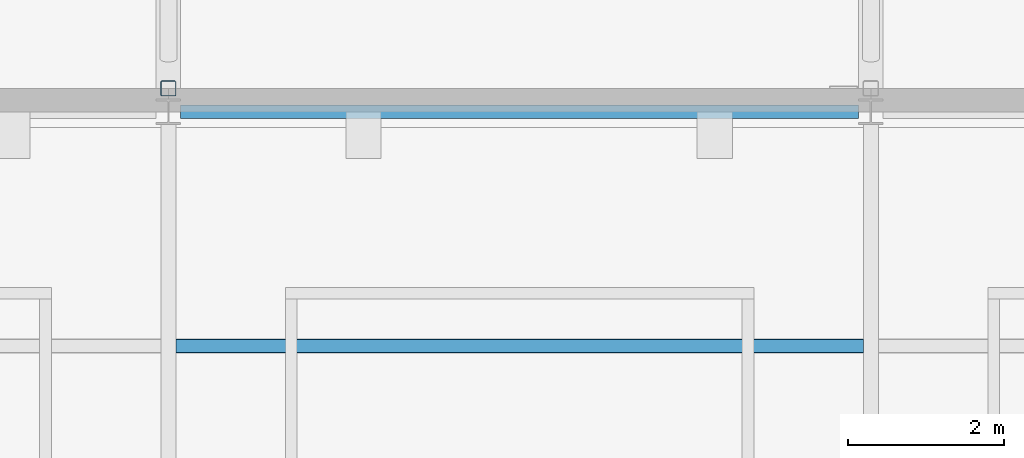
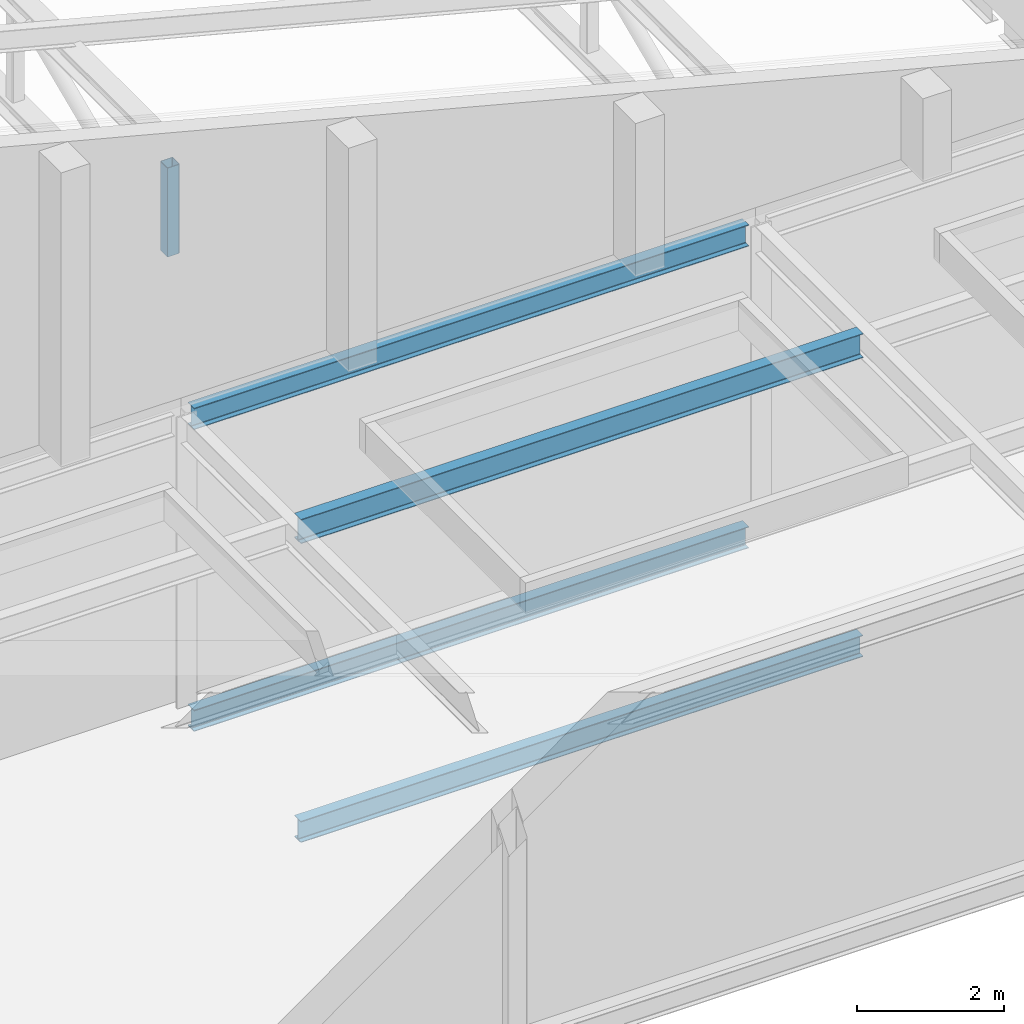
# One storey, part 18 of 115: 4 beams, 1 member.
"""IFC4 building model written with IfcOpenShell, lengths in metres."""

from ifc_helpers import new_model, si_unit, direction, frame, origin, origin_2d, place, context, subcontext, project, spatial, hollow_rectangle, i_section, extrude, material, material_profile, profile_set, type_object, element, save


model = new_model("IFC4")

# Units and contexts
model_context = context("Model", 3, precision=1e-05, world=origin(), true_north=direction((0.0, 1.0)))
body_context = subcontext(model_context, "Body", "Model", "MODEL_VIEW")
ifc_project = project(units=[si_unit("LENGTHUNIT", "METRE"), si_unit("AREAUNIT", "SQUARE_METRE"), si_unit("VOLUMEUNIT", "CUBIC_METRE"), si_unit("PLANEANGLEUNIT", "RADIAN"), si_unit("MASSUNIT", "GRAM", prefix="KILO")], contexts=[model_context])

# Site, building, storey
site_placement = place(None, origin())
site = spatial("IfcSite", under=ifc_project, at=site_placement, CompositionType="ELEMENT")
building_placement = place(site_placement, origin())
building = spatial("IfcBuilding", under=site, at=building_placement, Name="Shorebreak Coast Museum", CompositionType="ELEMENT")
storey_placement = place(building_placement, frame((0.0, 0.0, 11.0)))
storey = spatial("IfcBuildingStorey", under=building, at=storey_placement, Name="L02", CompositionType="ELEMENT", Elevation=11.0)

# Member
ifc_material_1 = material(Name="Steel Grade C450L0", Category="steel")
ifc_material_profile_1 = material_profile(ifc_material_1, hollow_rectangle(XDim=0.199951171875, YDim=0.199951171875, WallThickness=0.009033203125, InnerFilletRadius=0.013427734375, OuterFilletRadius=0.0224609375, at=origin_2d()), Name="200x200x9.0 SHS")
ifc_profile_set_1 = profile_set([ifc_material_profile_1], Name="Steel Grade C450L0")
member_type = type_object("IfcMemberType", Name="Auditorium roof truss strut 200x200x9.0 SHS", PredefinedType="STRUT", material=ifc_profile_set_1)
member_placement = place(storey_placement, frame((27.0, 63.300048828125, 7.244873046875), z_axis=(0.0, 0.0, 1.0), x_axis=(1.0, 0.0, 0.0)))
element("IfcMember", 1, at=member_placement, inside=storey, type_object=member_type, Name="Auditorium roof truss TS1 strut V01", PredefinedType="STRUT", context=body_context, shape_type="SweptSolid", body=[
    extrude(hollow_rectangle(XDim=0.199951171875, YDim=0.199951171875, WallThickness=0.009033203125, InnerFilletRadius=0.013427734375, OuterFilletRadius=0.0224609375, at=origin_2d()), origin(), (0.0, 0.0, 1.0), 1.47265625),
])

# Beams
ifc_material_2 = material(Name="Steel Grade 300", Category="steel")
ifc_material_profile_2 = material_profile(ifc_material_2, i_section(OverallWidth=0.1708984375, OverallDepth=0.355712890625, WebThickness=0.00732421875, FlangeThickness=0.011474609375, FilletRadius=0.011474609375, at=origin_2d()), Name="360UB50.7")
ifc_profile_set_2 = profile_set([ifc_material_profile_2], Name="Steel Grade 300")
beam_type_1 = type_object("IfcBeamType", Name="Floor girder east-west 360UB50.7", PredefinedType="BEAM", material=ifc_profile_set_2)
beam_1_placement = place(storey_placement, frame((27.155517578125, 63.0, -0.352783203125), z_axis=(1.0, 0.0, 0.0), x_axis=(0.0, 1.0, 0.0)))
element("IfcBeam", 2, at=beam_1_placement, inside=storey, type_object=beam_type_1, Name="Floor girder east-west L02 4H", PredefinedType="BEAM", context=body_context, shape_type="SweptSolid", body=[
    extrude(i_section(OverallWidth=0.1708984375, OverallDepth=0.355712890625, WebThickness=0.00732421875, FlangeThickness=0.011474609375, FilletRadius=0.011474609375, at=origin_2d()), origin(), (0.0, 0.0, 1.0), 8.68896484375),
])
ifc_material_3 = material(Name="Steel Grade 300", Category="steel")
ifc_material_profile_3 = material_profile(ifc_material_3, i_section(OverallWidth=0.1708984375, OverallDepth=0.355712890625, WebThickness=0.00732421875, FlangeThickness=0.011474609375, FilletRadius=0.011474609375, at=origin_2d()), Name="360UB50.7")
ifc_profile_set_3 = profile_set([ifc_material_profile_3], Name="Steel Grade 300")
beam_type_2 = type_object("IfcBeamType", Name="Floor joist 360UB50.7", PredefinedType="JOIST", material=ifc_profile_set_3)
beam_2_placement = place(storey_placement, frame((27.095458984375, 60.0, -0.352783203125), z_axis=(1.0, 0.0, 0.0), x_axis=(0.0, 1.0, 0.0)))
element("IfcBeam", 3, at=beam_2_placement, inside=storey, type_object=beam_type_2, Name="Floor joist L02 bay 4G at 6000 mm", PredefinedType="JOIST", context=body_context, shape_type="SweptSolid", body=[
    extrude(i_section(OverallWidth=0.1708984375, OverallDepth=0.355712890625, WebThickness=0.00732421875, FlangeThickness=0.011474609375, FilletRadius=0.011474609375, at=origin_2d()), origin(), (0.0, 0.0, 1.0), 8.80908203125),
])
ifc_material_4 = material(Name="Steel Grade 300", Category="steel")
ifc_material_profile_4 = material_profile(ifc_material_4, i_section(OverallWidth=0.1708984375, OverallDepth=0.355712890625, WebThickness=0.00732421875, FlangeThickness=0.011474609375, FilletRadius=0.011474609375, at=origin_2d()), Name="360UB50.7")
ifc_profile_set_4 = profile_set([ifc_material_profile_4], Name="Steel Grade 300")
beam_type_3 = type_object("IfcBeamType", Name="Roof deck girder east-west 360UB50.7", PredefinedType="BEAM", material=ifc_profile_set_4)
beam_3_placement = place(storey_placement, frame((27.155517578125, 63.0, 4.647216796875), z_axis=(1.0, 0.0, 0.0), x_axis=(0.0, 1.0, 0.0)))
element("IfcBeam", 4, at=beam_3_placement, inside=storey, type_object=beam_type_3, Name="Roof deck girder east-west L03 4H", PredefinedType="BEAM", context=body_context, shape_type="SweptSolid", body=[
    extrude(i_section(OverallWidth=0.1708984375, OverallDepth=0.355712890625, WebThickness=0.00732421875, FlangeThickness=0.011474609375, FilletRadius=0.011474609375, at=origin_2d()), origin(), (0.0, 0.0, 1.0), 8.68896484375),
])
ifc_material_5 = material(Name="Steel Grade 300", Category="steel")
ifc_material_profile_5 = material_profile(ifc_material_5, i_section(OverallWidth=0.177978515625, OverallDepth=0.402587890625, WebThickness=0.007568359375, FlangeThickness=0.010986328125, FilletRadius=0.011474609375, at=origin_2d()), Name="410UB53.7")
ifc_profile_set_5 = profile_set([ifc_material_profile_5], Name="Steel Grade 300")
beam_type_4 = type_object("IfcBeamType", Name="Roof deck joist 410UB53.7", PredefinedType="JOIST", material=ifc_profile_set_5)
beam_4_placement = place(storey_placement, frame((27.094970703125, 60.0, 4.623779296875), z_axis=(1.0, 0.0, 0.0), x_axis=(0.0, 1.0, 0.0)))
element("IfcBeam", 5, at=beam_4_placement, inside=storey, type_object=beam_type_4, Name="Roof deck joist L03 bay 4G at 6000 mm", PredefinedType="JOIST", context=body_context, shape_type="SweptSolid", body=[
    extrude(i_section(OverallWidth=0.177978515625, OverallDepth=0.402587890625, WebThickness=0.007568359375, FlangeThickness=0.010986328125, FilletRadius=0.011474609375, at=origin_2d()), origin(), (0.0, 0.0, 1.0), 8.81005859375),
])

save(model, "model.ifc")
